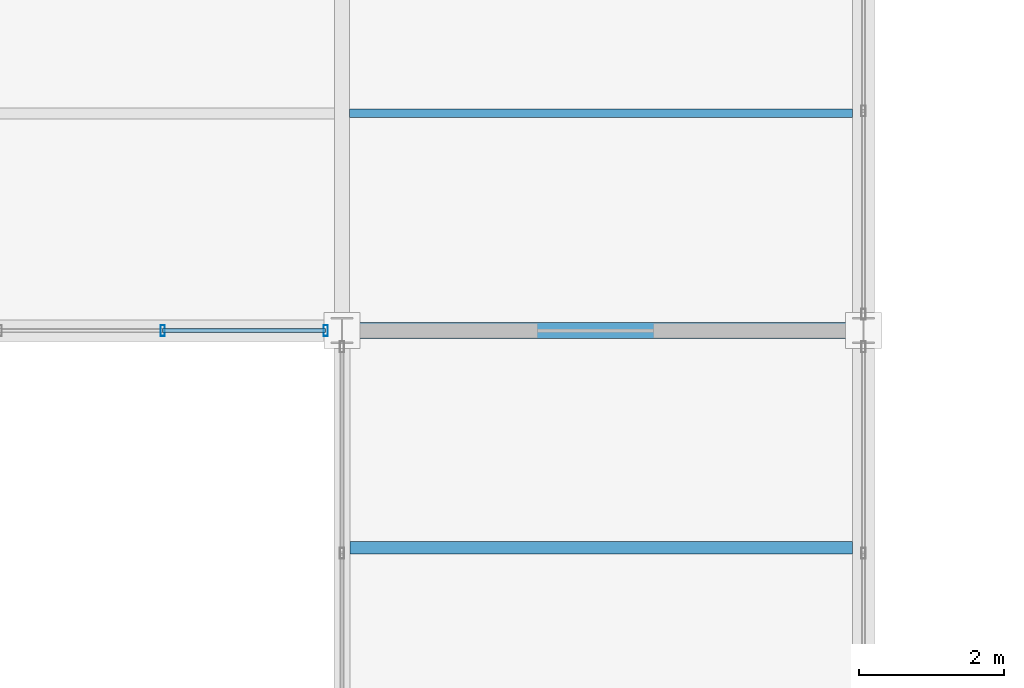
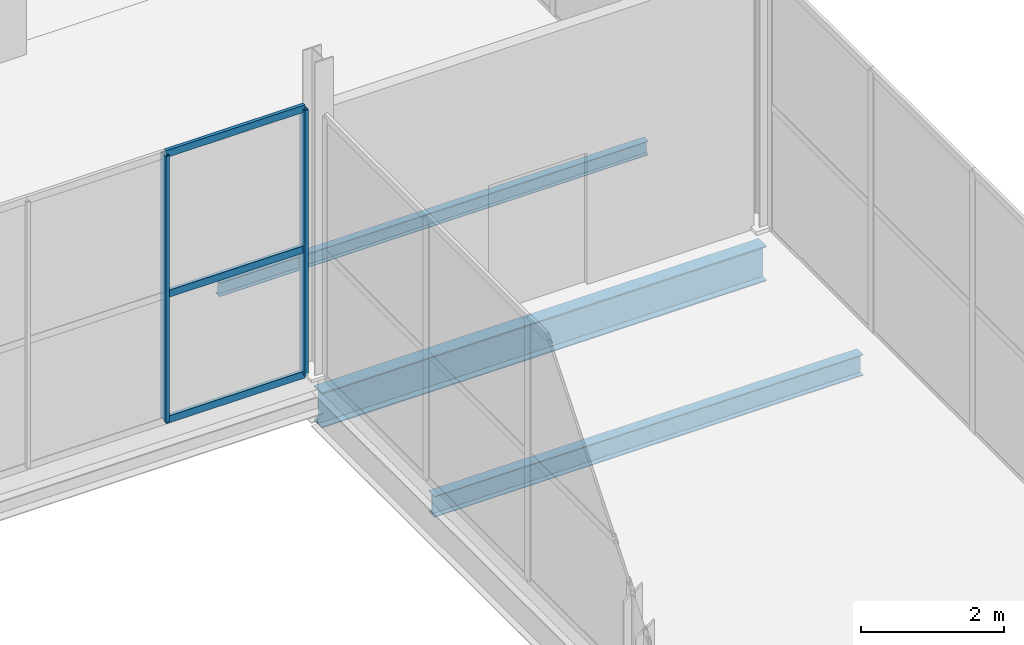
# One storey, part 82 of 141: 5 members, 3 beams, 1 element without a shape of its own.
"""IFC4 building model written with IfcOpenShell, lengths in metres."""

from ifc_helpers import new_model, si_unit, direction, frame, origin, origin_2d, place, context, subcontext, project, spatial, hollow_rectangle, i_section, extrude, material, layer, layer_set, material_profile, profile_set, type_object, element, aggregate, save


model = new_model("IFC4")

# Units and contexts
model_context = context("Model", 3, precision=1e-05, world=origin(), true_north=direction((0.0, 1.0)))
body_context = subcontext(model_context, "Body", "Model", "MODEL_VIEW")
ifc_project = project(units=[si_unit("LENGTHUNIT", "METRE"), si_unit("AREAUNIT", "SQUARE_METRE"), si_unit("VOLUMEUNIT", "CUBIC_METRE"), si_unit("PLANEANGLEUNIT", "RADIAN"), si_unit("MASSUNIT", "GRAM", prefix="KILO")], contexts=[model_context])

# Site, building, storey
site_placement = place(None, origin())
site = spatial("IfcSite", under=ifc_project, at=site_placement, CompositionType="ELEMENT")
building_placement = place(site_placement, origin())
building = spatial("IfcBuilding", under=site, at=building_placement, Name="Sundgate Opera House", CompositionType="ELEMENT")
storey_placement = place(building_placement, frame((0.0, 0.0, 11.39990234375)))
storey = spatial("IfcBuildingStorey", under=building, at=storey_placement, Name="L02", CompositionType="ELEMENT", Elevation=11.39990234375)

# Beams
ifc_material_1 = material(Name="Steel S355J2", Category="steel")
ifc_material_profile_1 = material_profile(ifc_material_1, i_section(OverallWidth=0.219970703125, OverallDepth=0.60009765625, WebThickness=0.011962890625, FlangeThickness=0.01904296875, at=origin_2d()), Name="IPE 600")
ifc_profile_set_1 = profile_set([ifc_material_profile_1], Name="Steel S355J2")
beam_type_1 = type_object("IfcBeamType", Name="BM-GR-IPE600", PredefinedType="BEAM", material=ifc_profile_set_1)
beam_1_placement = place(storey_placement, frame((138.60009765625, 60.0, -0.64990234375), z_axis=(1.0, 0.0, 0.0), x_axis=(0.0, 1.0, 0.0)))
element("IfcBeam", 1, at=beam_1_placement, inside=storey, type_object=beam_type_1, Name="L02 Primary E-W Girder B2031", PredefinedType="BEAM", context=body_context, shape_type="SweptSolid", body=[
    extrude(i_section(OverallWidth=0.219970703125, OverallDepth=0.60009765625, WebThickness=0.011962890625, FlangeThickness=0.01904296875, at=origin_2d()), origin(), (0.0, 0.0, 1.0), 7.199951171875),
])
ifc_material_2 = material(Name="Steel S355J2", Category="steel")
ifc_material_profile_2 = material_profile(ifc_material_2, i_section(OverallWidth=0.1201171875, OverallDepth=0.239990234375, WebThickness=0.006103515625, FlangeThickness=0.009765625, at=origin_2d()), Name="IPE 240")
ifc_profile_set_2 = profile_set([ifc_material_profile_2], Name="Steel S355J2")
beam_type_2 = type_object("IfcBeamType", Name="BM-JS-IPE240", PredefinedType="JOIST", material=ifc_profile_set_2)
beam_2_placement = place(storey_placement, frame((138.705078125, 63.0, -0.469970703125), z_axis=(1.0, 0.0, 0.0), x_axis=(0.0, 1.0, 0.0)))
element("IfcBeam", 2, at=beam_2_placement, inside=storey, type_object=beam_type_2, Name="L02 Secondary Floor Joist B2275", PredefinedType="JOIST", context=body_context, shape_type="SweptSolid", body=[
    extrude(i_section(OverallWidth=0.1201171875, OverallDepth=0.239990234375, WebThickness=0.006103515625, FlangeThickness=0.009765625, at=origin_2d()), origin(), (0.0, 0.0, 1.0), 6.94482421875),
])
ifc_material_3 = material(Name="Steel S355J2", Category="steel")
ifc_material_profile_3 = material_profile(ifc_material_3, i_section(OverallWidth=0.169921875, OverallDepth=0.360107421875, WebThickness=0.008056640625, FlangeThickness=0.0126953125, at=origin_2d()), Name="IPE 360")
ifc_profile_set_3 = profile_set([ifc_material_profile_3], Name="Steel S355J2")
beam_type_3 = type_object("IfcBeamType", Name="BM-JS-IPE360", PredefinedType="JOIST", material=ifc_profile_set_3)
beam_3_placement = place(storey_placement, frame((138.7099609375, 57.0, -0.52978515625), z_axis=(1.0, 0.0, 0.0), x_axis=(0.0, 1.0, 0.0)))
element("IfcBeam", 3, at=beam_3_placement, inside=storey, type_object=beam_type_3, Name="L02 Secondary Floor Joist B2250", PredefinedType="JOIST", context=body_context, shape_type="SweptSolid", body=[
    extrude(i_section(OverallWidth=0.169921875, OverallDepth=0.360107421875, WebThickness=0.008056640625, FlangeThickness=0.0126953125, at=origin_2d()), origin(), (0.0, 0.0, 1.0), 6.93994140625),
])

# Curtain wall, members
ifc_material_4 = material(Name="Anodized aluminium and low-iron glass", Category="aluminium")
ifc_layer = layer(ifc_material_4, 0.159912109375)
ifc_layer_set = layer_set([ifc_layer], Name="Anodized aluminium and low-iron glass")
curtain_wall_type = type_object("IfcCurtainWallType", Name="CW-STUDIO-DARK", PredefinedType="NOTDEFINED", material=ifc_layer_set)
curtain_wall_placement = place(storey_placement, origin())
curtain_wall = element("IfcCurtainWall", 4, at=curtain_wall_placement, inside=storey, type_object=curtain_wall_type, Name="L02 Curtain Wall CW075", PredefinedType="NOTDEFINED")
ifc_material_5 = material(Name="Anodized aluminium EN AW-6063", Category="aluminium")
ifc_material_profile_4 = material_profile(ifc_material_5, hollow_rectangle(XDim=0.06005859375, YDim=0.14990234375, WallThickness=0.00390625, at=origin_2d()), Name="CWM 150x60x4")
ifc_profile_set_4 = profile_set([ifc_material_profile_4], Name="Anodized aluminium EN AW-6063")
member_type_1 = type_object("IfcMemberType", Name="CWM-ALU-150x60", PredefinedType="MULLION", material=ifc_profile_set_4)
member_1_placement = place(storey_placement, frame((138.375, 60.0, 0.0), z_axis=(0.0, 0.0, 1.0), x_axis=(1.0, 0.0, 0.0)))
member_1 = element("IfcMember", 5, at=member_1_placement, type_object=member_type_1, Name="CW075 Mullion 1", PredefinedType="MULLION", context=body_context, shape_type="SweptSolid", body=[
    extrude(hollow_rectangle(XDim=0.06005859375, YDim=0.14990234375, WallThickness=0.00390625, at=origin_2d()), origin(), (0.0, 0.0, 1.0), 4.55517578125),
])
member_2_placement = place(storey_placement, frame((136.125, 60.0, 0.0), z_axis=(0.0, 0.0, 1.0), x_axis=(1.0, 0.0, 0.0)))
member_2 = element("IfcMember", 6, at=member_2_placement, type_object=member_type_1, Name="CW075 Mullion 2", PredefinedType="MULLION", context=body_context, shape_type="SweptSolid", body=[
    extrude(hollow_rectangle(XDim=0.06005859375, YDim=0.14990234375, WallThickness=0.00390625, at=origin_2d()), origin(), (0.0, 0.0, 1.0), 4.55517578125),
])
ifc_material_6 = material(Name="Anodized aluminium EN AW-6063", Category="aluminium")
ifc_material_profile_5 = material_profile(ifc_material_6, hollow_rectangle(XDim=0.054931640625, YDim=0.1201171875, WallThickness=0.00390625, at=origin_2d()), Name="CWT 120x55x4")
ifc_profile_set_5 = profile_set([ifc_material_profile_5], Name="Anodized aluminium EN AW-6063")
member_type_2 = type_object("IfcMemberType", Name="CWT-ALU-120x55", PredefinedType="USERDEFINED", material=ifc_profile_set_5)
member_3_placement = place(storey_placement, frame((138.375, 60.0, 0.0), z_axis=(-1.0, 0.0, 0.0), x_axis=(0.0, -1.0, 0.0)))
member_3 = element("IfcMember", 7, at=member_3_placement, type_object=member_type_2, Name="CW075 Transom 1", ObjectType="TRANSOM", PredefinedType="USERDEFINED", context=body_context, shape_type="SweptSolid", body=[
    extrude(hollow_rectangle(XDim=0.054931640625, YDim=0.1201171875, WallThickness=0.00390625, at=origin_2d()), origin(), (0.0, 0.0, 1.0), 2.25),
])
member_4_placement = place(storey_placement, frame((138.375, 60.0, 2.150146484375), z_axis=(-1.0, 0.0, 0.0), x_axis=(0.0, -1.0, 0.0)))
member_4 = element("IfcMember", 8, at=member_4_placement, type_object=member_type_2, Name="CW075 Transom 2", ObjectType="TRANSOM", PredefinedType="USERDEFINED", context=body_context, shape_type="SweptSolid", body=[
    extrude(hollow_rectangle(XDim=0.054931640625, YDim=0.1201171875, WallThickness=0.00390625, at=origin_2d()), origin(), (0.0, 0.0, 1.0), 2.25),
])
member_5_placement = place(storey_placement, frame((138.375, 60.0, 4.55517578125), z_axis=(-1.0, 0.0, 0.0), x_axis=(0.0, -1.0, 0.0)))
member_5 = element("IfcMember", 9, at=member_5_placement, type_object=member_type_2, Name="CW075 Transom 3", ObjectType="TRANSOM", PredefinedType="USERDEFINED", context=body_context, shape_type="SweptSolid", body=[
    extrude(hollow_rectangle(XDim=0.054931640625, YDim=0.1201171875, WallThickness=0.00390625, at=origin_2d()), origin(), (0.0, 0.0, 1.0), 2.25),
])
aggregate(curtain_wall, [member_1, member_2, member_3, member_4, member_5])

save(model, "model.ifc")
